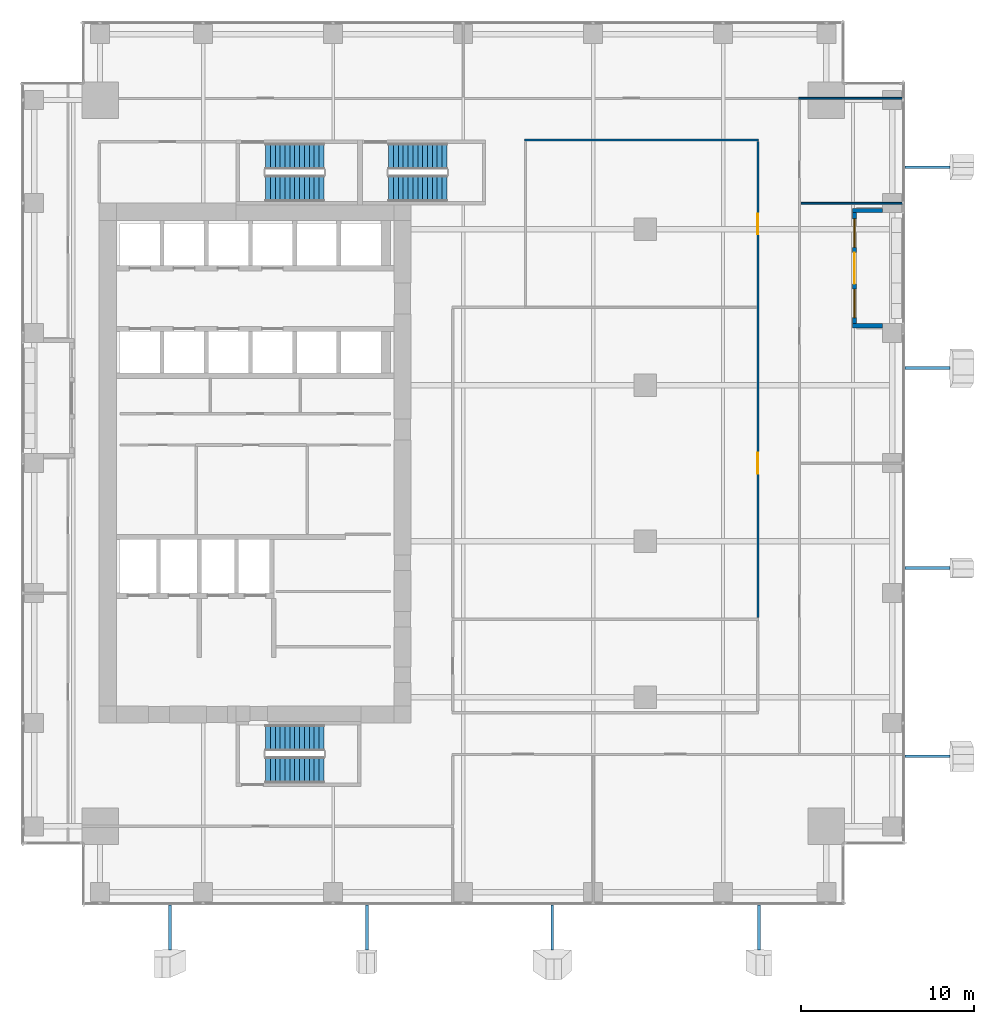
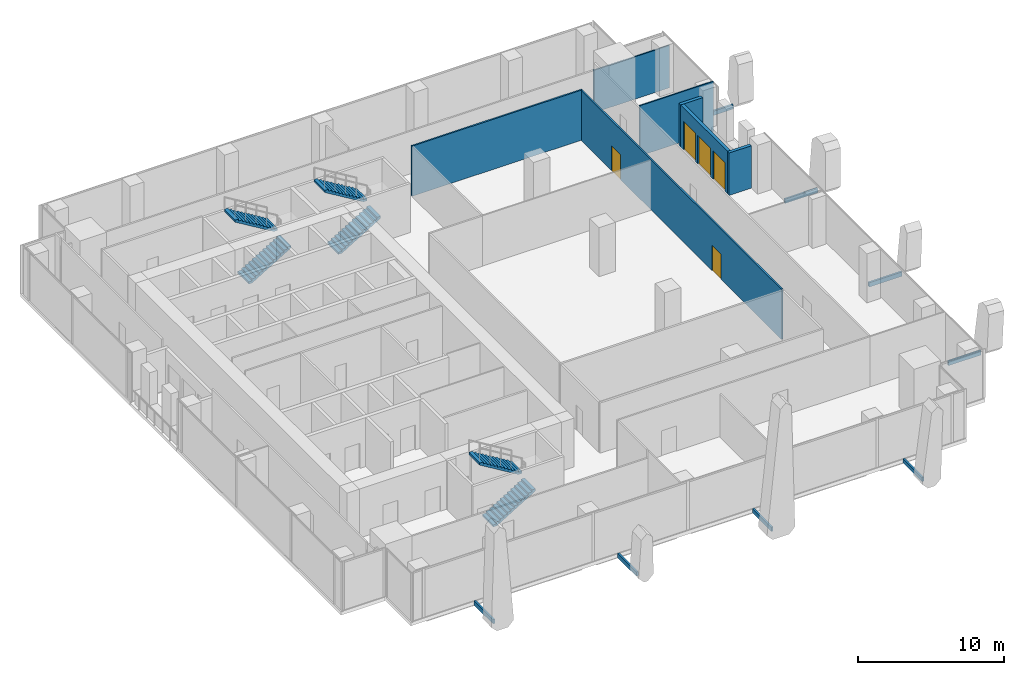
# One storey, part 31 of 35: 8 discrete accessories, 7 walls, 6 stair flights, 3 doors, 2 windows, 5 openings, 3 elements without a shape of their own.
"""IFC4 building model written with IfcOpenShell, lengths in metres."""

from ifc_helpers import new_model, si_unit, direction, frame, frame_2d, origin, origin_2d, place, context, subcontext, project, spatial, polyline, rectangle, outline, extrude, source, transform, mapped, material, layer, layer_set, type_object, element, fill, aggregate, save


model = new_model("IFC4")

# Units and contexts
model_context = context("Model", 3, precision=1e-05, world=origin(), true_north=direction((0.0, 1.0)))
body_context = subcontext(model_context, "Body", "Model", "MODEL_VIEW")
ifc_project = project(units=[si_unit("LENGTHUNIT", "METRE"), si_unit("AREAUNIT", "SQUARE_METRE"), si_unit("VOLUMEUNIT", "CUBIC_METRE"), si_unit("PLANEANGLEUNIT", "RADIAN"), si_unit("MASSUNIT", "GRAM", prefix="KILO")], contexts=[model_context])

# Site, building, storey
site_placement = place(None, origin())
site = spatial("IfcSite", under=ifc_project, at=site_placement, CompositionType="ELEMENT")
building_placement = place(site_placement, origin())
building = spatial("IfcBuilding", under=site, at=building_placement, Name="Khomas Fold Tower", CompositionType="ELEMENT")
storey_placement = place(building_placement, frame((0.0, 0.0, 136.699951171875)))
storey = spatial("IfcBuildingStorey", under=building, at=storey_placement, Name="L29", CompositionType="ELEMENT", Elevation=136.699951171875)

# Wall, openings, door, windows
ifc_material_1 = material(Name="Natural stone", Category="masonry")
ifc_layer_1 = layer(ifc_material_1, 0.0400390625)
ifc_material_2 = material(Name="Mineral wool insulation", Category="insulation")
ifc_layer_2 = layer(ifc_material_2, 0.10009765625)
ifc_material_3 = material(Name="Masonry", Category="masonry")
ifc_layer_3 = layer(ifc_material_3, 0.110107421875)
ifc_layer_set_1 = layer_set([ifc_layer_1, ifc_layer_2, ifc_layer_3], Name="Stone-faced insulated masonry")
wall_type_1 = type_object("IfcWallType", Name="BL-Balcony wall", PredefinedType="SOLIDWALL", material=ifc_layer_set_1)
shared_shape_1 = source(origin(), body_context, "Body", "SweptSolid", [
    extrude(rectangle(XDim=6.39990234375, YDim=0.25, at=frame_2d((3.199951171875, 0.0))), origin(), (0.0, 0.0, 1.0), 3.550048828125),
])
wall_1_placement = place(storey_placement, frame((49.574951171875, 35.050048828125, 0.0), z_axis=(0.0, 0.0, 1.0), x_axis=(0.0, 1.0, 0.0)))
wall_1 = element("IfcWall", 1, at=wall_1_placement, inside=storey, type_object=wall_type_1, Name="Balcony wall BAL-L29-E4", PredefinedType="SOLIDWALL", context=body_context, shape_type="MappedRepresentation", body=[
    mapped(shared_shape_1, transform((0.0, 0.0, 0.0))),
])
shared_shape_2 = source(origin(), body_context, "Body", "SweptSolid", [
    extrude(rectangle(XDim=1.64990234375, YDim=2.39990234375, at=frame_2d((0.824951171875, 1.199951171875))), frame((0.0, 0.135009765625, 0.0), z_axis=(0.0, -1.0, 0.0), x_axis=(1.0, 0.0, 0.0)), (0.0, 0.0, 1.0), 0.27001953125),
])
opening_1_placement = place(wall_1_placement, frame((0.35009765625, 0.0, 0.0)))
opening_1 = element("IfcOpeningElement", 2, at=opening_1_placement, cuts=wall_1, Name="Opening BL-W2", PredefinedType="OPENING", context=body_context, shape_type="MappedRepresentation", body=[
    mapped(shared_shape_2, transform((0.0, 0.0, 0.0))),
])
opening_2_placement = place(wall_1_placement, frame((4.39990234375, 0.0, 0.0)))
opening_2 = element("IfcOpeningElement", 3, at=opening_2_placement, cuts=wall_1, Name="Opening BL-W2", PredefinedType="OPENING", context=body_context, shape_type="MappedRepresentation", body=[
    mapped(shared_shape_2, transform((0.0, 0.0, 0.0))),
])
shared_shape_3 = source(origin(), body_context, "Body", "SweptSolid", [
    extrude(rectangle(XDim=1.800048828125, YDim=2.39990234375, at=frame_2d((0.89990234375, 1.199951171875))), frame((0.0, 0.135009765625, 0.0), z_axis=(0.0, -1.0, 0.0), x_axis=(1.0, 0.0, 0.0)), (0.0, 0.0, 1.0), 0.27001953125),
])
opening_3_placement = place(wall_1_placement, frame((2.300048828125, 0.0, 0.0)))
opening_3 = element("IfcOpeningElement", 4, at=opening_3_placement, cuts=wall_1, Name="Opening BD291", PredefinedType="OPENING", context=body_context, shape_type="MappedRepresentation", body=[
    mapped(shared_shape_3, transform((0.0, 0.0, 0.0))),
])
ifc_material_4 = material(Name="Aluminium framed double glazing", Category="aluminium")
door_type_1 = type_object("IfcDoorType", Name="BL-Glazed balcony door 1800 x 2400", OperationType="DOUBLE_DOOR_DOUBLE_SWING", PredefinedType="DOOR", material=ifc_material_4)
shared_shape_4 = source(origin(), body_context, "Body", "SweptSolid", [
    extrude(rectangle(XDim=1.800048828125, YDim=2.39990234375, at=frame_2d((0.89990234375, 1.199951171875))), frame((0.0, 0.02490234375, 0.0), z_axis=(0.0, -1.0, 0.0), x_axis=(1.0, 0.0, 0.0)), (0.0, 0.0, 1.0), 0.050048828125),
])
door_1_placement = place(opening_3_placement, origin())
door_1 = element("IfcDoor", 5, at=door_1_placement, inside=storey, type_object=door_type_1, Name="Balcony door BD291", OperationType="DOUBLE_DOOR_DOUBLE_SWING", OverallHeight=2.39990234375, OverallWidth=1.800048828125, PredefinedType="DOOR", context=body_context, shape_type="MappedRepresentation", body=[
    mapped(shared_shape_4, transform((0.0, 0.0, 0.0))),
])
fill(opening_3, door_1)
ifc_material_5 = material(Name="Aluminium framed double glazing", Category="aluminium")
window_type = type_object("IfcWindowType", Name="BL-Fixed glazing 1650 x 2400", PartitioningType="SINGLE_PANEL", PredefinedType="WINDOW", material=ifc_material_5)
shared_shape_5 = source(origin(), body_context, "Body", "SweptSolid", [
    extrude(rectangle(XDim=1.64990234375, YDim=2.39990234375, at=frame_2d((0.824951171875, 1.199951171875))), frame((0.0, 0.030029296875, 0.0), z_axis=(0.0, -1.0, 0.0), x_axis=(1.0, 0.0, 0.0)), (0.0, 0.0, 1.0), 0.06005859375),
])
window_1_placement = place(opening_1_placement, origin())
window_1 = element("IfcWindow", 6, at=window_1_placement, inside=storey, type_object=window_type, Name="Balcony glazing BAL-L29-E4-1", OverallHeight=2.39990234375, OverallWidth=1.64990234375, PartitioningType="SINGLE_PANEL", PredefinedType="WINDOW", context=body_context, shape_type="MappedRepresentation", body=[
    mapped(shared_shape_5, transform((0.0, 0.0, 0.0))),
])
fill(opening_1, window_1)
window_2_placement = place(opening_2_placement, origin())
window_2 = element("IfcWindow", 7, at=window_2_placement, inside=storey, type_object=window_type, Name="Balcony glazing BAL-L29-E4-2", OverallHeight=2.39990234375, OverallWidth=1.64990234375, PartitioningType="SINGLE_PANEL", PredefinedType="WINDOW", context=body_context, shape_type="MappedRepresentation", body=[
    mapped(shared_shape_5, transform((0.0, 0.0, 0.0))),
])
fill(opening_2, window_2)

# Walls
shared_shape_6 = source(origin(), body_context, "Body", "SweptSolid", [
    extrude(rectangle(XDim=1.75, YDim=0.25, at=frame_2d((0.875, 0.0))), origin(), (0.0, 0.0, 1.0), 3.550048828125),
])
for number, where, z_axis, x_axis, name in (
    (8, (51.199951171875, 34.925048828125, 0.0), (0.0, 0.0, 1.0), (-1.0, 0.0, 0.0), "Balcony return wall BAL-L29-E4-lo"),
    (9, (51.199951171875, 41.574951171875, 0.0), (0.0, 0.0, 1.0), (-1.0, 0.0, 0.0), "Balcony return wall BAL-L29-E4-hi"),
):
    element("IfcWall", number, at=place(storey_placement, frame(where, z_axis=z_axis, x_axis=x_axis)), inside=storey, type_object=wall_type_1, Name=name, PredefinedType="SOLIDWALL", context=body_context, shape_type="MappedRepresentation", body=[
        mapped(shared_shape_6, transform((0.0, 0.0, 0.0))),
    ])
ifc_material_6 = material(Name="Plasterboard partition")
ifc_layer_4 = layer(ifc_material_6, 0.10009765625)
ifc_layer_set_2 = layer_set([ifc_layer_4], Name="Plasterboard partition")
wall_type_2 = type_object("IfcWallType", Name="Partition PW1 100", PredefinedType="PARTITIONING", material=ifc_layer_set_2)
shared_shape_7 = source(origin(), body_context, "Body", "SweptSolid", [
    extrude(rectangle(XDim=5.85009765625, YDim=0.10009765625, at=frame_2d((2.925048828125, 0.0))), origin(), (0.0, 0.0, 1.0), 4.199951171875),
])
wall_2_placement = place(storey_placement, frame((46.5, 42.0, 0.0), z_axis=(0.0, 0.0, 1.0), x_axis=(1.0, 0.0, 0.0)))
element("IfcWall", 10, at=wall_2_placement, inside=storey, type_object=wall_type_2, Name="Partition", PredefinedType="PARTITIONING", context=body_context, shape_type="MappedRepresentation", body=[
    mapped(shared_shape_7, transform((0.0, 0.0, 0.0))),
])
ifc_material_7 = material(Name="Plasterboard partition")
ifc_layer_5 = layer(ifc_material_7, 0.125)
ifc_layer_set_3 = layer_set([ifc_layer_5], Name="Plasterboard partition")
wall_type_3 = type_object("IfcWallType", Name="Partition PW2 125", PredefinedType="PARTITIONING", material=ifc_layer_set_3)
shared_shape_8 = source(origin(), body_context, "Body", "SweptSolid", [
    extrude(rectangle(XDim=13.5, YDim=0.125, at=frame_2d((6.75, 0.0))), origin(), (0.0, 0.0, 1.0), 4.199951171875),
])
wall_3_placement = place(storey_placement, frame((30.550048828125, 45.64990234375, 0.0), z_axis=(0.0, 0.0, 1.0), x_axis=(1.0, 0.0, 0.0)))
element("IfcWall", 11, at=wall_3_placement, inside=storey, type_object=wall_type_3, Name="Partition", PredefinedType="PARTITIONING", context=body_context, shape_type="MappedRepresentation", body=[
    mapped(shared_shape_8, transform((0.0, 0.0, 0.0))),
])
shared_shape_9 = source(origin(), body_context, "Body", "SweptSolid", [
    extrude(rectangle(XDim=6.0, YDim=0.10009765625, at=frame_2d((3.0, 0.0))), origin(), (0.0, 0.0, 1.0), 3.550048828125),
])
wall_4_placement = place(storey_placement, frame((46.35009765625, 48.050048828125, 0.0), z_axis=(0.0, 0.0, 1.0), x_axis=(1.0, 0.0, 0.0)))
element("IfcWall", 12, at=wall_4_placement, inside=storey, type_object=wall_type_2, Name="Partition", PredefinedType="PARTITIONING", context=body_context, shape_type="MappedRepresentation", body=[
    mapped(shared_shape_9, transform((0.0, 0.0, 0.0))),
])

# Wall, openings, doors
shared_shape_10 = source(origin(), body_context, "Body", "SweptSolid", [
    extrude(rectangle(XDim=27.449951171875, YDim=0.125, at=frame_2d((13.72509765625, 0.0))), origin(), (0.0, 0.0, 1.0), 4.199951171875),
])
wall_5_placement = place(storey_placement, frame((44.0, 18.10009765625, 0.0), z_axis=(0.0, 0.0, 1.0), x_axis=(0.0, 1.0, 0.0)))
wall_5 = element("IfcWall", 13, at=wall_5_placement, inside=storey, type_object=wall_type_3, Name="Partition", PredefinedType="PARTITIONING", context=body_context, shape_type="MappedRepresentation", body=[
    mapped(shared_shape_10, transform((0.0, 0.0, 0.0))),
])
shared_shape_11 = source(origin(), body_context, "Body", "SweptSolid", [
    extrude(rectangle(XDim=1.199951171875, YDim=2.10009765625, at=frame_2d((0.60009765625, 1.050048828125))), frame((0.0, 0.072509765625, 0.0), z_axis=(0.0, -1.0, 0.0), x_axis=(1.0, 0.0, 0.0)), (0.0, 0.0, 1.0), 0.14501953125),
])
opening_4_placement = place(wall_5_placement, frame((8.300048828125, 0.0, 0.0)))
opening_4 = element("IfcOpeningElement", 14, at=opening_4_placement, cuts=wall_5, Name="Opening 0001", PredefinedType="OPENING", context=body_context, shape_type="MappedRepresentation", body=[
    mapped(shared_shape_11, transform((0.0, 0.0, 0.0))),
])
opening_5_placement = place(wall_5_placement, frame((22.10009765625, 0.0, 0.0)))
opening_5 = element("IfcOpeningElement", 15, at=opening_5_placement, cuts=wall_5, Name="Opening 0013", PredefinedType="OPENING", context=body_context, shape_type="MappedRepresentation", body=[
    mapped(shared_shape_11, transform((0.0, 0.0, 0.0))),
])
ifc_material_8 = material(Name="Timber door leaf", Category="wood")
door_type_2 = type_object("IfcDoorType", Name="Door 1200x2100 right-hand", OperationType="SINGLE_SWING_RIGHT", PredefinedType="DOOR", material=ifc_material_8)
shared_shape_12 = source(origin(), body_context, "Body", "SweptSolid", [
    extrude(rectangle(XDim=1.199951171875, YDim=2.10009765625, at=frame_2d((0.60009765625, 1.050048828125))), frame((0.0, 0.02490234375, 0.0), z_axis=(0.0, -1.0, 0.0), x_axis=(1.0, 0.0, 0.0)), (0.0, 0.0, 1.0), 0.050048828125),
])
door_2_placement = place(opening_4_placement, origin())
door_2 = element("IfcDoor", 16, at=door_2_placement, inside=storey, type_object=door_type_2, Name="Door", OperationType="SINGLE_SWING_RIGHT", OverallHeight=2.10009765625, OverallWidth=1.199951171875, PredefinedType="DOOR", context=body_context, shape_type="MappedRepresentation", body=[
    mapped(shared_shape_12, transform((0.0, 0.0, 0.0))),
])
fill(opening_4, door_2)
ifc_material_9 = material(Name="Timber door leaf", Category="wood")
door_type_3 = type_object("IfcDoorType", Name="Door 1200x2100 left-hand", OperationType="SINGLE_SWING_LEFT", PredefinedType="DOOR", material=ifc_material_9)
door_3_placement = place(opening_5_placement, origin())
door_3 = element("IfcDoor", 17, at=door_3_placement, inside=storey, type_object=door_type_3, Name="Door", OperationType="SINGLE_SWING_LEFT", OverallHeight=2.10009765625, OverallWidth=1.199951171875, PredefinedType="DOOR", context=body_context, shape_type="MappedRepresentation", body=[
    mapped(shared_shape_12, transform((0.0, 0.0, 0.0))),
])
fill(opening_5, door_3)

# Stair, stair flights
ifc_material_10 = material(Name="Concrete C40/50", Category="concrete")
stair_type_1 = type_object("IfcStairType", Name="Stair ST1", PredefinedType="HALF_TURN_STAIR", material=ifc_material_10)
stair_1_placement = place(storey_placement, origin())
stair_1 = element("IfcStair", 18, at=stair_1_placement, inside=storey, type_object=stair_type_1, Name="L29 ST1", PredefinedType="HALF_TURN_STAIR")
ifc_material_11 = material(Name="Concrete C40/50", Category="concrete")
stair_flight_type_1 = type_object("IfcStairFlightType", Name="Stair flight 1500 ST1", PredefinedType="STRAIGHT", material=ifc_material_11)
shared_shape_13 = source(origin(), body_context, "Body", "SweptSolid", [
    extrude(outline(polyline([(0.0, 0.0), (0.0, 0.012939453125), (0.0, 0.026123046875), (0.0, 0.0390625), (0.0, 0.052001953125), (0.0, 0.065185546875), (0.0, 0.078125), (0.0, 0.091064453125), (0.0, 0.104248046875), (0.0, 0.1171875), (0.0, 0.130126953125), (0.0, 0.143310546875), (0.0, 0.15625), (0.0, 0.169189453125), (0.280029296875, 0.169189453125), (0.280029296875, 0.33837890625), (0.56005859375, 0.33837890625), (0.56005859375, 0.5078125), (0.840087890625, 0.5078125), (0.840087890625, 0.677001953125), (1.1201171875, 0.677001953125), (1.1201171875, 0.84619140625), (1.39990234375, 0.84619140625), (1.39990234375, 1.015380859375), (1.679931640625, 1.015380859375), (1.679931640625, 1.1845703125), (1.9599609375, 1.1845703125), (1.9599609375, 1.353759765625), (2.239990234375, 1.353759765625), (2.239990234375, 1.523193359375), (2.52001953125, 1.523193359375), (2.52001953125, 1.6923828125), (2.800048828125, 1.6923828125), (2.800048828125, 1.861572265625), (3.080078125, 1.861572265625), (3.080078125, 2.03076171875), (3.360107421875, 2.03076171875), (3.360107421875, 2.199951171875), (3.360107421875, 2.173583984375), (3.360107421875, 2.14697265625), (3.360107421875, 2.12060546875), (3.360107421875, 2.093994140625), (3.360107421875, 2.067626953125), (3.360107421875, 2.041015625), (3.360107421875, 2.0146484375), (3.360107421875, 1.988037109375), (3.360107421875, 1.961669921875), (3.360107421875, 1.93505859375), (3.360107421875, 1.90869140625), (3.360107421875, 1.882080078125), (3.360107421875, 1.855712890625), (0.289794921875, 0.0), (0.0, 0.0)])), frame((0.0, 0.75, 0.0), z_axis=(0.0, -1.0, 0.0), x_axis=(1.0, 0.0, 0.0)), (0.0, 0.0, 1.0), 1.5),
])
stair_flight_1_placement = place(storey_placement, frame((15.60009765625, 42.85009765625, 0.0), z_axis=(0.0, 0.0, 1.0), x_axis=(1.0, 0.0, 0.0)))
stair_flight_1 = element("IfcStairFlight", 19, at=stair_flight_1_placement, type_object=stair_flight_type_1, Name="ST1 flight 1", NumberOfRisers=13, NumberOfTreads=12, PredefinedType="STRAIGHT", RiserHeight=0.169230769, TreadLength=0.28, context=body_context, shape_type="MappedRepresentation", body=[
    mapped(shared_shape_13, transform((0.0, 0.0, 0.0))),
])
stair_flight_2_placement = place(storey_placement, frame((18.9599609375, 44.699951171875, 2.199951171875), z_axis=(0.0, 0.0, 1.0), x_axis=(-1.0, 0.0, 0.0)))
stair_flight_2 = element("IfcStairFlight", 20, at=stair_flight_2_placement, type_object=stair_flight_type_1, Name="ST1 flight 2", NumberOfRisers=13, NumberOfTreads=12, PredefinedType="STRAIGHT", RiserHeight=0.169230769, TreadLength=0.28, context=body_context, shape_type="MappedRepresentation", body=[
    mapped(shared_shape_13, transform((0.0, 0.0, 0.0))),
])
aggregate(stair_1, [stair_flight_1, stair_flight_2])

ifc_material_12 = material(Name="Concrete C40/50", Category="concrete")
stair_type_2 = type_object("IfcStairType", Name="Stair ST2", PredefinedType="HALF_TURN_STAIR", material=ifc_material_12)
stair_2_placement = place(storey_placement, origin())
stair_2 = element("IfcStair", 21, at=stair_2_placement, inside=storey, type_object=stair_type_2, Name="L29 ST2", PredefinedType="HALF_TURN_STAIR")
ifc_material_13 = material(Name="Concrete C40/50", Category="concrete")
stair_flight_type_2 = type_object("IfcStairFlightType", Name="Stair flight 1500 ST2", PredefinedType="STRAIGHT", material=ifc_material_13)
stair_flight_3_placement = place(storey_placement, frame((15.60009765625, 9.300048828125, 0.0), z_axis=(0.0, 0.0, 1.0), x_axis=(1.0, 0.0, 0.0)))
stair_flight_3 = element("IfcStairFlight", 22, at=stair_flight_3_placement, type_object=stair_flight_type_2, Name="ST2 flight 1", NumberOfRisers=13, NumberOfTreads=12, PredefinedType="STRAIGHT", RiserHeight=0.169230769, TreadLength=0.28, context=body_context, shape_type="MappedRepresentation", body=[
    mapped(shared_shape_13, transform((0.0, 0.0, 0.0))),
])
stair_flight_4_placement = place(storey_placement, frame((18.9599609375, 11.14990234375, 2.199951171875), z_axis=(0.0, 0.0, 1.0), x_axis=(-1.0, 0.0, 0.0)))
stair_flight_4 = element("IfcStairFlight", 23, at=stair_flight_4_placement, type_object=stair_flight_type_2, Name="ST2 flight 2", NumberOfRisers=13, NumberOfTreads=12, PredefinedType="STRAIGHT", RiserHeight=0.169230769, TreadLength=0.28, context=body_context, shape_type="MappedRepresentation", body=[
    mapped(shared_shape_13, transform((0.0, 0.0, 0.0))),
])
aggregate(stair_2, [stair_flight_3, stair_flight_4])

ifc_material_14 = material(Name="Concrete C40/50", Category="concrete")
stair_type_3 = type_object("IfcStairType", Name="Stair ST3", PredefinedType="HALF_TURN_STAIR", material=ifc_material_14)
stair_3_placement = place(storey_placement, origin())
stair_3 = element("IfcStair", 24, at=stair_3_placement, inside=storey, type_object=stair_type_3, Name="L29 ST3", PredefinedType="HALF_TURN_STAIR")
ifc_material_15 = material(Name="Concrete C40/50", Category="concrete")
stair_flight_type_3 = type_object("IfcStairFlightType", Name="Stair flight 1500 ST3", PredefinedType="STRAIGHT", material=ifc_material_15)
stair_flight_5_placement = place(storey_placement, frame((22.699951171875, 42.85009765625, 0.0), z_axis=(0.0, 0.0, 1.0), x_axis=(1.0, 0.0, 0.0)))
stair_flight_5 = element("IfcStairFlight", 25, at=stair_flight_5_placement, type_object=stair_flight_type_3, Name="ST3 flight 1", NumberOfRisers=13, NumberOfTreads=12, PredefinedType="STRAIGHT", RiserHeight=0.169230769, TreadLength=0.28, context=body_context, shape_type="MappedRepresentation", body=[
    mapped(shared_shape_13, transform((0.0, 0.0, 0.0))),
])
stair_flight_6_placement = place(storey_placement, frame((26.06005859375, 44.699951171875, 2.199951171875), z_axis=(0.0, 0.0, 1.0), x_axis=(-1.0, 0.0, 0.0)))
stair_flight_6 = element("IfcStairFlight", 26, at=stair_flight_6_placement, type_object=stair_flight_type_3, Name="ST3 flight 2", NumberOfRisers=13, NumberOfTreads=12, PredefinedType="STRAIGHT", RiserHeight=0.169230769, TreadLength=0.28, context=body_context, shape_type="MappedRepresentation", body=[
    mapped(shared_shape_13, transform((0.0, 0.0, 0.0))),
])
aggregate(stair_3, [stair_flight_5, stair_flight_6])

# Discrete accessories
ifc_material_16 = material(Name="Stainless steel", Category="steel")
discrete_accessory_type = type_object("IfcDiscreteAccessoryType", Name="SK-Stainless steel stone bracket", PredefinedType="BRACKET", material=ifc_material_16)
shared_shape_14 = source(origin(), body_context, "Body", "SweptSolid", [
    extrude(rectangle(XDim=2.597412109375, YDim=0.14990234375, at=origin_2d()), origin(), (0.0, 0.0, 1.0), 0.360107421875),
])
for number, where, z_axis, x_axis, name in (
    (27, (10.082275390625, 0.201416015625, -0.2998046875), (0.0, 0.0, 1.0), (0.0, -1.0, 0.0), "Stone bracket L29 SS03-1-1"),
    (28, (21.447265625, 0.201416015625, -0.2998046875), (0.0, 0.0, 1.0), (0.0, -1.0, 0.0), "Stone bracket L29 SS06-2-1"),
    (29, (32.13525390625, 0.201416015625, -0.2998046875), (0.0, 0.0, 1.0), (0.0, -1.0, 0.0), "Stone bracket L29 SS09-3-1"),
    (30, (44.065673828125, 0.201416015625, -0.2998046875), (0.0, 0.0, 1.0), (0.0, -1.0, 0.0), "Stone bracket L29 SS12-4-1"),
    (31, (53.798583984375, 10.082275390625, -0.2998046875), (0.0, 0.0, 1.0), (1.0, 0.0, 0.0), "Stone bracket L29 ES03-1-1"),
    (32, (53.798583984375, 20.952392578125, -0.2998046875), (0.0, 0.0, 1.0), (1.0, 0.0, 0.0), "Stone bracket L29 ES06-2-1"),
    (33, (53.798583984375, 32.4912109375, -0.2998046875), (0.0, 0.0, 1.0), (1.0, 0.0, 0.0), "Stone bracket L29 ES09-3-1"),
    (34, (53.798583984375, 44.065673828125, -0.2998046875), (0.0, 0.0, 1.0), (1.0, 0.0, 0.0), "Stone bracket L29 ES12-4-1"),
):
    element("IfcDiscreteAccessory", number, at=place(storey_placement, frame(where, z_axis=z_axis, x_axis=x_axis)), inside=storey, type_object=discrete_accessory_type, Name=name, PredefinedType="BRACKET", context=body_context, shape_type="MappedRepresentation", body=[
        mapped(shared_shape_14, transform((0.0, 0.0, 0.0))),
    ])

save(model, "model.ifc")
